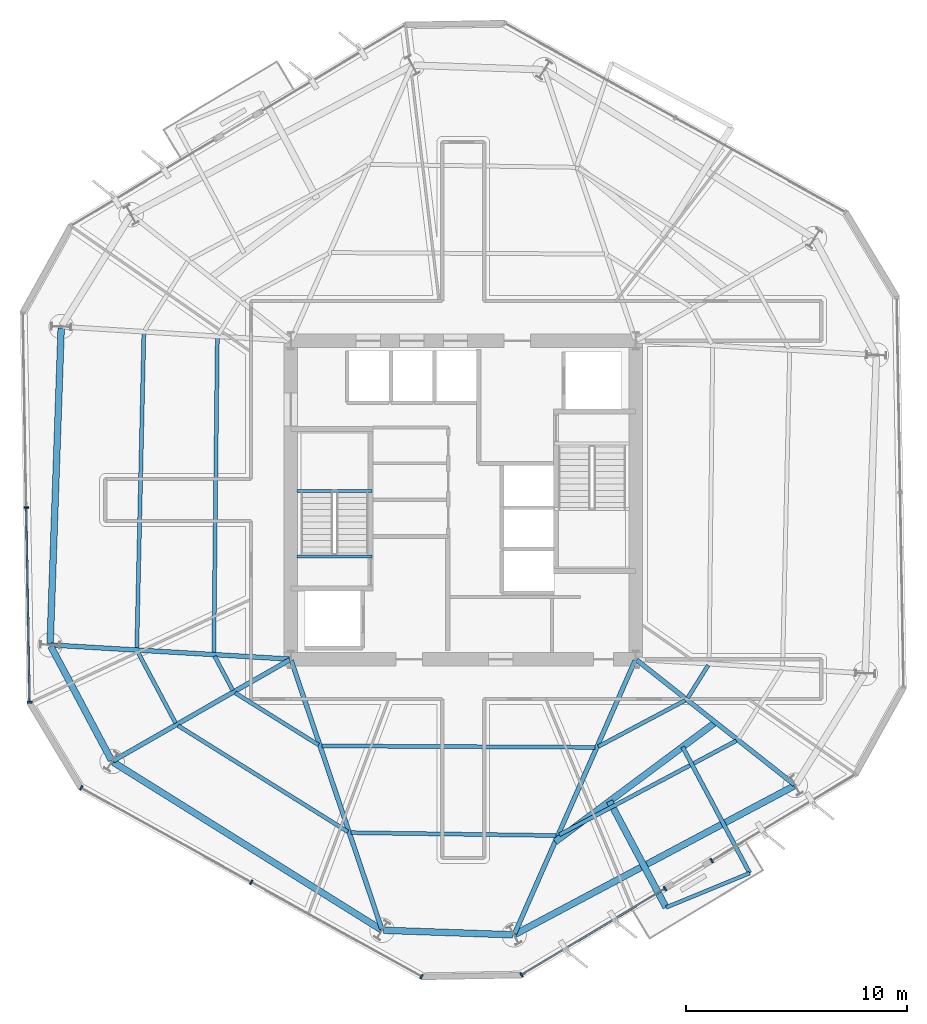
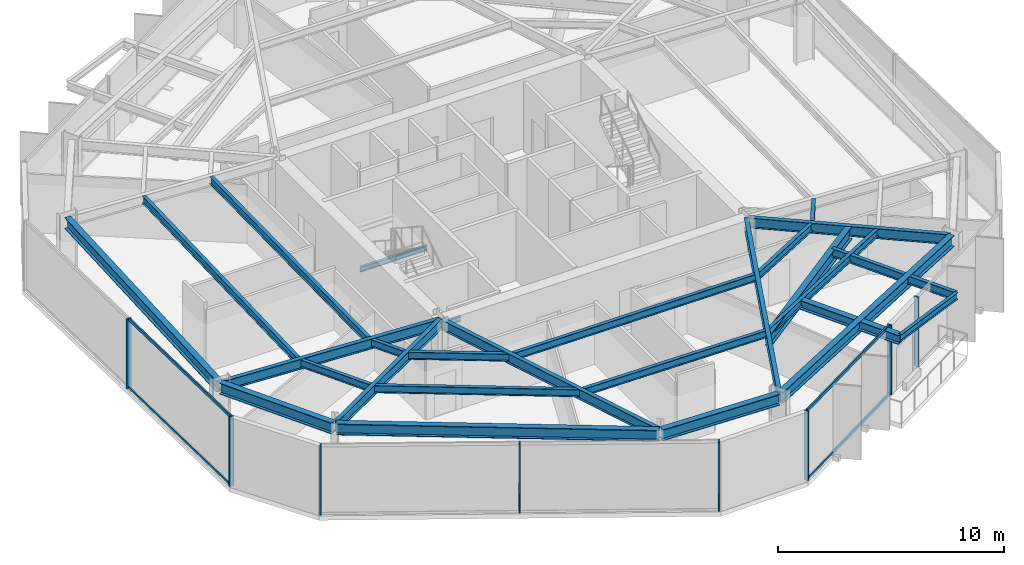
# One storey, part 2 of 11: 27 beams, 12 members, 4 elements without a shape of their own.
"""IFC4 building model written with IfcOpenShell, lengths in metres."""

from ifc_helpers import new_model, si_unit, direction, frame, origin, origin_2d, place, context, subcontext, project, spatial, rectangle, i_section, extrude, material, layer, layer_set, material_profile, profile_set, type_object, element, aggregate, save


model = new_model("IFC4")

# Units and contexts
model_context = context("Model", 3, precision=1e-05, world=origin(), true_north=direction((0.0, 1.0)))
body_context = subcontext(model_context, "Body", "Model", "MODEL_VIEW")
ifc_project = project(units=[si_unit("LENGTHUNIT", "METRE"), si_unit("AREAUNIT", "SQUARE_METRE"), si_unit("VOLUMEUNIT", "CUBIC_METRE"), si_unit("PLANEANGLEUNIT", "RADIAN"), si_unit("MASSUNIT", "GRAM", prefix="KILO")], contexts=[model_context])

# Site, building, storey
site_placement = place(None, origin())
site = spatial("IfcSite", under=ifc_project, at=site_placement, CompositionType="ELEMENT")
building_placement = place(site_placement, origin())
building = spatial("IfcBuilding", under=site, at=building_placement, Name="Kranzbogen Civic Tower", CompositionType="ELEMENT")
storey_placement = place(building_placement, frame((0.0, 0.0, 146.39990234375)))
storey = spatial("IfcBuildingStorey", under=building, at=storey_placement, Name="L35", CompositionType="ELEMENT", Elevation=146.39990234375)

# Beam
ifc_material_1 = material(Name="Steel S355", Category="steel")
ifc_material_profile_1 = material_profile(ifc_material_1, i_section(OverallWidth=0.18994140625, OverallDepth=0.449951171875, WebThickness=0.009521484375, FlangeThickness=0.0146484375, at=origin_2d()), Name="IPE 450")
ifc_profile_set_1 = profile_set([ifc_material_profile_1], Name="Steel S355")
beam_type_1 = type_object("IfcBeamType", Name="Braced Terrace Edge Beam IPE 450", PredefinedType="BEAM", material=ifc_profile_set_1)
beam_1_placement = place(storey_placement, frame((34.922119140625, 13.83203125, 3.525146484375), z_axis=(0.46945330946, -0.882957298082, 0.0), x_axis=(0.882957298082, 0.46945330946, 0.0)))
element("IfcBeam", 1, at=beam_1_placement, inside=storey, type_object=beam_type_1, Name="L36 back-spanned terrace beam L36-TB2-2", PredefinedType="BEAM", context=body_context, shape_type="SweptSolid", body=[
    extrude(i_section(OverallWidth=0.18994140625, OverallDepth=0.449951171875, WebThickness=0.009521484375, FlangeThickness=0.0146484375, at=origin_2d()), origin(), (0.0, 0.0, 1.0), 6.466796875),
])

# Curtain wall, members
ifc_material_2 = material(Name="Pale Anodised Aluminium", Category="aluminium")
ifc_layer = layer(ifc_material_2, 0.219970703125, Name="Pale Anodised Aluminium")
ifc_layer_set = layer_set([ifc_layer], Name="Pale Anodised Aluminium")
curtain_wall_type = type_object("IfcCurtainWallType", Name="Zone 2 Stick Curtain Wall System CW-03", PredefinedType="USERDEFINED", material=ifc_layer_set)
curtain_wall_1_placement = place(storey_placement, origin())
curtain_wall_1 = element("IfcCurtainWall", 2, at=curtain_wall_1_placement, inside=storey, type_object=curtain_wall_type, Name="L35 curtain wall CW-L35-F3", ObjectType="STICK CURTAIN WALL", PredefinedType="USERDEFINED")
ifc_material_profile_2 = material_profile(ifc_material_2, rectangle(XDim=0.074951171875, YDim=0.219970703125, at=origin_2d()), Name="ALU-M 75x220")
ifc_profile_set_2 = profile_set([ifc_material_profile_2], Name="Pale Anodised Aluminium")
member_type_1 = type_object("IfcMemberType", Name="Curtain Wall Mullion ALU-M 75x220", PredefinedType="MULLION", material=ifc_profile_set_2)
member_1_placement = place(storey_placement, frame((5.23095703125, 24.655029296875, 0.0), z_axis=(0.0, 0.0, 1.0), x_axis=(0.017431971008, -0.999848051649, 0.0)))
member_1 = element("IfcMember", 3, at=member_1_placement, type_object=member_type_1, Name="CW-03 mullion 2", PredefinedType="MULLION", context=body_context, shape_type="SweptSolid", body=[
    extrude(rectangle(XDim=0.074951171875, YDim=0.219970703125, at=origin_2d()), origin(), (0.0, 0.0, 1.0), 3.760009765625),
])
member_2_placement = place(storey_placement, frame((5.384521484375, 15.85205078125, 0.0), z_axis=(0.0, 0.0, 1.0), x_axis=(0.017431971008, -0.999848051649, 0.0)))
member_2 = element("IfcMember", 4, at=member_2_placement, type_object=member_type_1, Name="CW-03 mullion 3", PredefinedType="MULLION", context=body_context, shape_type="SweptSolid", body=[
    extrude(rectangle(XDim=0.074951171875, YDim=0.219970703125, at=origin_2d()), origin(), (0.0, 0.0, 1.0), 3.760009765625),
])

curtain_wall_2_placement = place(storey_placement, origin())
curtain_wall_2 = element("IfcCurtainWall", 5, at=curtain_wall_2_placement, inside=storey, type_object=curtain_wall_type, Name="L35 curtain wall CW-L35-F4", ObjectType="STICK CURTAIN WALL", PredefinedType="USERDEFINED")
member_3_placement = place(storey_placement, frame((7.71435546875, 11.975341796875, 0.0), z_axis=(0.0, 0.0, 1.0), x_axis=(0.874613413849, -0.484820973468, 0.0)))
member_3 = element("IfcMember", 6, at=member_3_placement, type_object=member_type_1, Name="CW-03 mullion 1", PredefinedType="MULLION", context=body_context, shape_type="SweptSolid", body=[
    extrude(rectangle(XDim=0.074951171875, YDim=0.219970703125, at=origin_2d()), origin(), (0.0, 0.0, 1.0), 3.760009765625),
])
member_4_placement = place(storey_placement, frame((15.41455078125, 7.70703125, 0.0), z_axis=(0.0, 0.0, 1.0), x_axis=(0.874613413849, -0.484820973468, 0.0)))
member_4 = element("IfcMember", 7, at=member_4_placement, type_object=member_type_1, Name="CW-03 mullion 2", PredefinedType="MULLION", context=body_context, shape_type="SweptSolid", body=[
    extrude(rectangle(XDim=0.074951171875, YDim=0.219970703125, at=origin_2d()), origin(), (0.0, 0.0, 1.0), 3.760009765625),
])
member_5_placement = place(storey_placement, frame((23.11474609375, 3.4384765625, 0.0), z_axis=(0.0, 0.0, 1.0), x_axis=(0.874613413849, -0.484820973468, 0.0)))
member_5 = element("IfcMember", 8, at=member_5_placement, type_object=member_type_1, Name="CW-03 mullion 3", PredefinedType="MULLION", context=body_context, shape_type="SweptSolid", body=[
    extrude(rectangle(XDim=0.074951171875, YDim=0.219970703125, at=origin_2d()), origin(), (0.0, 0.0, 1.0), 3.760009765625),
])
aggregate(curtain_wall_2, [member_3, member_4, member_5])

curtain_wall_3_placement = place(storey_placement, origin())
curtain_wall_3 = element("IfcCurtainWall", 9, at=curtain_wall_3_placement, inside=storey, type_object=curtain_wall_type, Name="L35 curtain wall CW-L35-F5-S1", ObjectType="STICK CURTAIN WALL", PredefinedType="USERDEFINED")
member_6_placement = place(storey_placement, frame((27.63671875, 3.517333984375, 0.0), z_axis=(0.0, 0.0, 1.0), x_axis=(0.857134393632, 0.515092837509, 0.0)))
member_6 = element("IfcMember", 10, at=member_6_placement, type_object=member_type_1, Name="CW-03 mullion 1", PredefinedType="MULLION", context=body_context, shape_type="SweptSolid", body=[
    extrude(rectangle(XDim=0.074951171875, YDim=0.219970703125, at=origin_2d()), origin(), (0.0, 0.0, 1.0), 3.760009765625),
])
member_7_placement = place(storey_placement, frame((34.128173828125, 7.41845703125, 0.0), z_axis=(0.0, 0.0, 1.0), x_axis=(0.857134393632, 0.515092837509, 0.0)))
member_7 = element("IfcMember", 11, at=member_7_placement, type_object=member_type_1, Name="CW-03 mullion 2", PredefinedType="MULLION", context=body_context, shape_type="SweptSolid", body=[
    extrude(rectangle(XDim=0.074951171875, YDim=0.219970703125, at=origin_2d()), origin(), (0.0, 0.0, 1.0), 3.760009765625),
])

# Curtain wall, member
curtain_wall_4_placement = place(storey_placement, origin())
curtain_wall_4 = element("IfcCurtainWall", 12, at=curtain_wall_4_placement, inside=storey, type_object=curtain_wall_type, Name="L35 curtain wall CW-L35-F5-S2", ObjectType="STICK CURTAIN WALL", PredefinedType="USERDEFINED")
member_8_placement = place(storey_placement, frame((36.23779296875, 8.685546875, 0.0), z_axis=(0.0, 0.0, 1.0), x_axis=(0.857134393632, 0.515092837509, 0.0)))
member_8 = element("IfcMember", 13, at=member_8_placement, type_object=member_type_1, Name="CW-03 mullion 1", PredefinedType="MULLION", context=body_context, shape_type="SweptSolid", body=[
    extrude(rectangle(XDim=0.074951171875, YDim=0.219970703125, at=origin_2d()), origin(), (0.0, 0.0, 1.0), 3.760009765625),
])
aggregate(curtain_wall_4, [member_8])

# Member
ifc_material_profile_3 = material_profile(ifc_material_2, rectangle(XDim=0.074951171875, YDim=0.1650390625, at=origin_2d()), Name="ALU-T 75x165")
ifc_profile_set_3 = profile_set([ifc_material_profile_3], Name="Pale Anodised Aluminium")
member_type_2 = type_object("IfcMemberType", Name="Curtain Wall Transom ALU-T 75x165", PredefinedType="USERDEFINED", material=ifc_profile_set_3)
member_9_placement = place(storey_placement, frame((5.2314453125, 24.625, 0.030029296875), z_axis=(0.017450080558, -0.999847735752, 0.0), x_axis=(0.999847735752, 0.017450080558, 0.0)))
member_9 = element("IfcMember", 14, at=member_9_placement, type_object=member_type_2, Name="CW-03 transom 2.1", ObjectType="TRANSOM", PredefinedType="USERDEFINED", context=body_context, shape_type="SweptSolid", body=[
    extrude(rectangle(XDim=0.074951171875, YDim=0.1650390625, at=origin_2d()), origin(), (0.0, 0.0, 1.0), 8.744140625),
])

member_10_placement = place(storey_placement, frame((5.2314453125, 24.625, 3.72998046875), z_axis=(0.017450080558, -0.999847735752, 0.0), x_axis=(0.999847735752, 0.017450080558, 0.0)))
member_10 = element("IfcMember", 15, at=member_10_placement, type_object=member_type_2, Name="CW-03 transom 2.2", ObjectType="TRANSOM", PredefinedType="USERDEFINED", context=body_context, shape_type="SweptSolid", body=[
    extrude(rectangle(XDim=0.074951171875, YDim=0.1650390625, at=origin_2d()), origin(), (0.0, 0.0, 1.0), 8.744140625),
])

aggregate(curtain_wall_1, [member_1, member_2, member_9, member_10])

member_11_placement = place(storey_placement, frame((27.662353515625, 3.532958984375, 0.030029296875), z_axis=(0.857140076693, 0.515083380558, 0.0), x_axis=(-0.515083380558, 0.857140076693, 0.0)))
member_11 = element("IfcMember", 16, at=member_11_placement, type_object=member_type_2, Name="CW-03 transom 1.1", ObjectType="TRANSOM", PredefinedType="USERDEFINED", context=body_context, shape_type="SweptSolid", body=[
    extrude(rectangle(XDim=0.074951171875, YDim=0.1650390625, at=origin_2d()), origin(), (0.0, 0.0, 1.0), 7.513671875),
])

member_12_placement = place(storey_placement, frame((27.662353515625, 3.532958984375, 3.72998046875), z_axis=(0.857140076693, 0.515083380558, 0.0), x_axis=(-0.515083380558, 0.857140076693, 0.0)))
member_12 = element("IfcMember", 17, at=member_12_placement, type_object=member_type_2, Name="CW-03 transom 1.2", ObjectType="TRANSOM", PredefinedType="USERDEFINED", context=body_context, shape_type="SweptSolid", body=[
    extrude(rectangle(XDim=0.074951171875, YDim=0.1650390625, at=origin_2d()), origin(), (0.0, 0.0, 1.0), 7.513671875),
])

aggregate(curtain_wall_3, [member_6, member_7, member_11, member_12])

# Beams
ifc_material_profile_4 = material_profile(ifc_material_1, i_section(OverallWidth=0.300048828125, OverallDepth=0.5, WebThickness=0.014404296875, FlangeThickness=0.028076171875, at=origin_2d()), Name="HEB 500")
ifc_profile_set_4 = profile_set([ifc_material_profile_4], Name="Steel S355")
beam_type_2 = type_object("IfcBeamType", Name="Perimeter Tube Spandrel Beam HEB 500", PredefinedType="SPANDREL", material=ifc_profile_set_4)
beam_2_placement = place(storey_placement, frame((31.6201171875, 11.3720703125, 3.5), z_axis=(0.46945902252, -0.882954260523, 0.0), x_axis=(0.882954260523, 0.46945902252, 0.0)))
element("IfcBeam", 18, at=beam_2_placement, inside=storey, type_object=beam_type_2, Name="L36 back-spanned terrace beam L36-TB2-1", PredefinedType="SPANDREL", context=body_context, shape_type="SweptSolid", body=[
    extrude(i_section(OverallWidth=0.300048828125, OverallDepth=0.5, WebThickness=0.014404296875, FlangeThickness=0.028076171875, at=origin_2d()), origin(), (0.0, 0.0, 1.0), 5.4443359375),
])
ifc_material_profile_5 = material_profile(ifc_material_1, i_section(OverallWidth=0.300048828125, OverallDepth=0.60009765625, WebThickness=0.015380859375, FlangeThickness=0.030029296875, at=origin_2d()), Name="HEB 600")
ifc_profile_set_5 = profile_set([ifc_material_profile_5], Name="Steel S355")
beam_type_3 = type_object("IfcBeamType", Name="Perimeter Tube Spandrel Beam HEB 600", PredefinedType="SPANDREL", material=ifc_profile_set_5)
beam_3_placement = place(storey_placement, frame((6.337890625, 18.39111328125, 3.460205078125), z_axis=(0.469565926668, -0.882897412224, 0.0), x_axis=(0.882897412224, 0.469565926668, 0.0)))
element("IfcBeam", 19, at=beam_3_placement, inside=storey, type_object=beam_type_3, Name="L35 perimeter spandrel beam 01", PredefinedType="SPANDREL", context=body_context, shape_type="SweptSolid", body=[
    extrude(i_section(OverallWidth=0.300048828125, OverallDepth=0.60009765625, WebThickness=0.015380859375, FlangeThickness=0.030029296875, at=origin_2d()), origin(), (0.0, 0.0, 1.0), 5.852294921875),
])
beam_4_placement = place(storey_placement, frame((9.1650390625, 13.138916015625, 3.460205078125), z_axis=(0.848051101349, -0.52991445489, 0.0), x_axis=(0.52991445489, 0.848051101349, 0.0)))
element("IfcBeam", 20, at=beam_4_placement, inside=storey, type_object=beam_type_3, Name="L35 perimeter spandrel beam 02", PredefinedType="SPANDREL", context=body_context, shape_type="SweptSolid", body=[
    extrude(i_section(OverallWidth=0.300048828125, OverallDepth=0.60009765625, WebThickness=0.015380859375, FlangeThickness=0.030029296875, at=origin_2d()), origin(), (0.0, 0.0, 1.0), 14.286865234375),
])
beam_5_placement = place(storey_placement, frame((21.39208984375, 5.533935546875, 3.460205078125), z_axis=(0.999393148233, -0.03483296234, 0.0), x_axis=(0.03483296234, 0.999393148233, 0.0)))
element("IfcBeam", 21, at=beam_5_placement, inside=storey, type_object=beam_type_3, Name="L35 perimeter spandrel beam 03", PredefinedType="SPANDREL", context=body_context, shape_type="SweptSolid", body=[
    extrude(i_section(OverallWidth=0.300048828125, OverallDepth=0.60009765625, WebThickness=0.015380859375, FlangeThickness=0.030029296875, at=origin_2d()), origin(), (0.0, 0.0, 1.0), 5.8525390625),
])
beam_6_placement = place(storey_placement, frame((27.35400390625, 5.35595703125, 3.460205078125), z_axis=(0.882948194046, 0.469470432116, 0.0), x_axis=(-0.469470432116, 0.882948194046, 0.0)))
element("IfcBeam", 22, at=beam_6_placement, inside=storey, type_object=beam_type_3, Name="L35 perimeter spandrel beam 04", PredefinedType="SPANDREL", context=body_context, shape_type="SweptSolid", body=[
    extrude(i_section(OverallWidth=0.300048828125, OverallDepth=0.60009765625, WebThickness=0.015380859375, FlangeThickness=0.030029296875, at=origin_2d()), origin(), (0.0, 0.0, 1.0), 14.28857421875),
])
beam_7_placement = place(storey_placement, frame((6.81103515625, 32.783935546875, 3.460205078125), z_axis=(-0.034924229103, -0.999389963038, 0.0), x_axis=(0.999389963038, -0.034924229103, 0.0)))
element("IfcBeam", 23, at=beam_7_placement, inside=storey, type_object=beam_type_3, Name="L35 perimeter spandrel beam 12", PredefinedType="SPANDREL", context=body_context, shape_type="SweptSolid", body=[
    extrude(i_section(OverallWidth=0.300048828125, OverallDepth=0.60009765625, WebThickness=0.015380859375, FlangeThickness=0.030029296875, at=origin_2d()), origin(), (0.0, 0.0, 1.0), 14.288818359375),
])
ifc_material_profile_6 = material_profile(ifc_material_1, i_section(OverallWidth=0.300048828125, OverallDepth=0.699951171875, WebThickness=0.01708984375, FlangeThickness=0.031982421875, at=origin_2d()), Name="HEB 700")
ifc_profile_set_6 = profile_set([ifc_material_profile_6], Name="Steel S355")
beam_type_4 = type_object("IfcBeamType", Name="Perimeter Tube Spandrel Beam HEB 700", PredefinedType="SPANDREL", material=ifc_profile_set_6)
beam_8_placement = place(storey_placement, frame((29.156982421875, 9.537109375, 3.400146484375), z_axis=(0.801896259305, 0.597463295369, 0.0), x_axis=(-0.597463295369, 0.801896259305, 0.0)))
element("IfcBeam", 24, at=beam_8_placement, inside=storey, type_object=beam_type_4, Name="L36 balcony back-span header girder L36-TB2", PredefinedType="SPANDREL", context=body_context, shape_type="SweptSolid", body=[
    extrude(i_section(OverallWidth=0.300048828125, OverallDepth=0.699951171875, WebThickness=0.01708984375, FlangeThickness=0.031982421875, at=origin_2d()), origin(), (0.0, 0.0, 1.0), 9.0498046875),
])
ifc_material_profile_7 = material_profile(ifc_material_1, i_section(OverallWidth=0.2099609375, OverallDepth=0.550048828125, WebThickness=0.010986328125, FlangeThickness=0.01708984375, at=origin_2d()), Name="IPE 550")
ifc_profile_set_7 = profile_set([ifc_material_profile_7], Name="Steel S355")
beam_type_5 = type_object("IfcBeamType", Name="Radial Tower Floor Girder IPE 550", PredefinedType="BEAM", material=ifc_profile_set_7)
beam_9_placement = place(storey_placement, frame((6.3701171875, 18.43994140625, 3.485107421875), z_axis=(0.998260925387, -0.058950189528, 0.0), x_axis=(0.058950189528, 0.998260925387, 0.0)))
element("IfcBeam", 25, at=beam_9_placement, inside=storey, type_object=beam_type_5, Name="L35 radial floor girder 01", PredefinedType="BEAM", context=body_context, shape_type="SweptSolid", body=[
    extrude(i_section(OverallWidth=0.2099609375, OverallDepth=0.550048828125, WebThickness=0.010986328125, FlangeThickness=0.01708984375, at=origin_2d()), origin(), (0.0, 0.0, 1.0), 10.78857421875),
])
beam_10_placement = place(storey_placement, frame((9.166015625, 13.200927734375, 3.485107421875), z_axis=(0.867868812182, 0.496793442833, 0.0), x_axis=(-0.496793442833, 0.867868812182, 0.0)))
element("IfcBeam", 26, at=beam_10_placement, inside=storey, type_object=beam_type_5, Name="L35 radial floor girder 02", PredefinedType="BEAM", context=body_context, shape_type="SweptSolid", body=[
    extrude(i_section(OverallWidth=0.2099609375, OverallDepth=0.550048828125, WebThickness=0.010986328125, FlangeThickness=0.01708984375, at=origin_2d()), origin(), (0.0, 0.0, 1.0), 9.197265625),
])
beam_11_placement = place(storey_placement, frame((21.31298828125, 5.593017578125, 3.485107421875), z_axis=(-0.319316617377, 0.947648087566, 0.0), x_axis=(-0.947648087566, -0.319316617377, 0.0)))
element("IfcBeam", 27, at=beam_11_placement, inside=storey, type_object=beam_type_5, Name="L35 radial floor girder 03", PredefinedType="BEAM", context=body_context, shape_type="SweptSolid", body=[
    extrude(i_section(OverallWidth=0.2099609375, OverallDepth=0.550048828125, WebThickness=0.010986328125, FlangeThickness=0.01708984375, at=origin_2d()), origin(), (0.0, 0.0, 1.0), 12.821044921875),
])
beam_12_placement = place(storey_placement, frame((27.324951171875, 5.383056640625, 3.485107421875), z_axis=(0.403459127705, 0.914997667905, 0.0), x_axis=(-0.914997667905, 0.403459127705, 0.0)))
element("IfcBeam", 28, at=beam_12_placement, inside=storey, type_object=beam_type_5, Name="L35 radial floor girder 04", PredefinedType="BEAM", context=body_context, shape_type="SweptSolid", body=[
    extrude(i_section(OverallWidth=0.2099609375, OverallDepth=0.550048828125, WebThickness=0.010986328125, FlangeThickness=0.01708984375, at=origin_2d()), origin(), (0.0, 0.0, 1.0), 13.510498046875),
])
beam_13_placement = place(storey_placement, frame((39.97607421875, 12.12890625, 3.485107421875), z_axis=(-0.78457455683, 0.620034486763, 0.0), x_axis=(-0.620034486763, -0.78457455683, 0.0)))
element("IfcBeam", 29, at=beam_13_placement, inside=storey, type_object=beam_type_5, Name="L35 radial floor girder 05", PredefinedType="BEAM", context=body_context, shape_type="SweptSolid", body=[
    extrude(i_section(OverallWidth=0.2099609375, OverallDepth=0.550048828125, WebThickness=0.010986328125, FlangeThickness=0.01708984375, at=origin_2d()), origin(), (0.0, 0.0, 1.0), 9.086669921875),
])
ifc_material_profile_8 = material_profile(ifc_material_1, i_section(OverallWidth=0.169921875, OverallDepth=0.360107421875, WebThickness=0.008056640625, FlangeThickness=0.0126953125, at=origin_2d()), Name="IPE 360")
ifc_profile_set_8 = profile_set([ifc_material_profile_8], Name="Steel S355")
beam_type_6 = type_object("IfcBeamType", Name="Secondary Composite Floor Joist IPE 360", PredefinedType="JOIST", material=ifc_profile_set_8)
beam_14_placement = place(storey_placement, frame((34.176025390625, 6.56494140625, 3.570068359375), z_axis=(0.924691696401, 0.380716780043, 0.0), x_axis=(-0.380716780043, 0.924691696401, 0.0)))
element("IfcBeam", 30, at=beam_14_placement, inside=storey, type_object=beam_type_6, Name="L36 terrace outer edge trimmer L36-TB2", PredefinedType="JOIST", context=body_context, shape_type="SweptSolid", body=[
    extrude(i_section(OverallWidth=0.169921875, OverallDepth=0.360107421875, WebThickness=0.008056640625, FlangeThickness=0.0126953125, at=origin_2d()), origin(), (0.0, 0.0, 1.0), 4.090087890625),
])
ifc_material_profile_9 = material_profile(ifc_material_1, i_section(OverallWidth=0.179931640625, OverallDepth=0.39990234375, WebThickness=0.008544921875, FlangeThickness=0.013427734375, at=origin_2d()), Name="IPE 400")
ifc_profile_set_9 = profile_set([ifc_material_profile_9], Name="Steel S355")
beam_type_7 = type_object("IfcBeamType", Name="Secondary Composite Floor Joist IPE 400", PredefinedType="JOIST", material=ifc_profile_set_9)
beam_15_placement = place(storey_placement, frame((10.26806640625, 18.14208984375, 3.56005859375), z_axis=(0.469338791783, -0.88301817565, 0.0), x_axis=(0.88301817565, 0.469338791783, 0.0)))
element("IfcBeam", 31, at=beam_15_placement, inside=storey, type_object=beam_type_7, Name="L35 secondary floor joist 1.01", PredefinedType="JOIST", context=body_context, shape_type="SweptSolid", body=[
    extrude(i_section(OverallWidth=0.179931640625, OverallDepth=0.39990234375, WebThickness=0.008544921875, FlangeThickness=0.013427734375, at=origin_2d()), origin(), (0.0, 0.0, 1.0), 3.66259765625),
])
beam_16_placement = place(storey_placement, frame((13.7529296875, 17.93505859375, 3.56005859375), z_axis=(0.46943723363, -0.882965845139, 0.0), x_axis=(0.882965845139, 0.46943723363, 0.0)))
element("IfcBeam", 32, at=beam_16_placement, inside=storey, type_object=beam_type_7, Name="L35 secondary floor joist 2.01", PredefinedType="JOIST", context=body_context, shape_type="SweptSolid", body=[
    extrude(i_section(OverallWidth=0.179931640625, OverallDepth=0.39990234375, WebThickness=0.008544921875, FlangeThickness=0.013427734375, at=origin_2d()), origin(), (0.0, 0.0, 1.0), 1.7509765625),
])
beam_17_placement = place(storey_placement, frame((12.093017578125, 14.794921875, 3.56005859375), z_axis=(0.848025549308, -0.529955345026, 0.0), x_axis=(0.529955345026, 0.848025549308, 0.0)))
element("IfcBeam", 33, at=beam_17_placement, inside=storey, type_object=beam_type_7, Name="L35 secondary floor joist 1.02", PredefinedType="JOIST", context=body_context, shape_type="SweptSolid", body=[
    extrude(i_section(OverallWidth=0.179931640625, OverallDepth=0.39990234375, WebThickness=0.008544921875, FlangeThickness=0.013427734375, at=origin_2d()), origin(), (0.0, 0.0, 1.0), 9.06103515625),
])
beam_18_placement = place(storey_placement, frame((14.679931640625, 16.27587890625, 3.56005859375), z_axis=(0.848093834398, -0.529846060716, 0.0), x_axis=(0.529846060716, 0.848093834398, 0.0)))
element("IfcBeam", 34, at=beam_18_placement, inside=storey, type_object=beam_type_7, Name="L35 secondary floor joist 2.02", PredefinedType="JOIST", context=body_context, shape_type="SweptSolid", body=[
    extrude(i_section(OverallWidth=0.179931640625, OverallDepth=0.39990234375, WebThickness=0.008544921875, FlangeThickness=0.013427734375, at=origin_2d()), origin(), (0.0, 0.0, 1.0), 4.4501953125),
])
beam_19_placement = place(storey_placement, frame((19.924072265625, 9.949951171875, 3.56005859375), z_axis=(0.999900525148, -0.014104602386, 0.0), x_axis=(0.014104602386, 0.999900525148, 0.0)))
element("IfcBeam", 35, at=beam_19_placement, inside=storey, type_object=beam_type_7, Name="L35 secondary floor joist 1.03", PredefinedType="JOIST", context=body_context, shape_type="SweptSolid", body=[
    extrude(i_section(OverallWidth=0.179931640625, OverallDepth=0.39990234375, WebThickness=0.008544921875, FlangeThickness=0.013427734375, at=origin_2d()), origin(), (0.0, 0.0, 1.0), 9.27783203125),
])
beam_20_placement = place(storey_placement, frame((18.60205078125, 13.875, 3.56005859375), z_axis=(0.999985774147, -0.005333995002, 0.0), x_axis=(0.005333995002, 0.999985774147, 0.0)))
element("IfcBeam", 36, at=beam_20_placement, inside=storey, type_object=beam_type_7, Name="L35 secondary floor joist 2.03", PredefinedType="JOIST", context=body_context, shape_type="SweptSolid", body=[
    extrude(i_section(OverallWidth=0.179931640625, OverallDepth=0.39990234375, WebThickness=0.008544921875, FlangeThickness=0.013427734375, at=origin_2d()), origin(), (0.0, 0.0, 1.0), 12.358154296875),
])
beam_21_placement = place(storey_placement, frame((29.35107421875, 9.85498046875, 3.56005859375), z_axis=(0.882960787661, 0.469446746131, 0.0), x_axis=(-0.469446746131, 0.882960787661, 0.0)))
element("IfcBeam", 37, at=beam_21_placement, inside=storey, type_object=beam_type_7, Name="L35 secondary floor joist 1.04", PredefinedType="JOIST", context=body_context, shape_type="SweptSolid", body=[
    extrude(i_section(OverallWidth=0.179931640625, OverallDepth=0.39990234375, WebThickness=0.008544921875, FlangeThickness=0.013427734375, at=origin_2d()), origin(), (0.0, 0.0, 1.0), 9.0615234375),
])
beam_22_placement = place(storey_placement, frame((31.111083984375, 13.846923828125, 3.56005859375), z_axis=(0.882991399158, 0.469389165844, 0.0), x_axis=(-0.469389165844, 0.882991399158, 0.0)))
element("IfcBeam", 38, at=beam_22_placement, inside=storey, type_object=beam_type_7, Name="L35 secondary floor joist 2.04", PredefinedType="JOIST", context=body_context, shape_type="SweptSolid", body=[
    extrude(i_section(OverallWidth=0.179931640625, OverallDepth=0.39990234375, WebThickness=0.008544921875, FlangeThickness=0.013427734375, at=origin_2d()), origin(), (0.0, 0.0, 1.0), 4.45068359375),
])
beam_23_placement = place(storey_placement, frame((35.154052734375, 16.041015625, 3.56005859375), z_axis=(0.529572623603, 0.84826460278, 0.0), x_axis=(-0.84826460278, 0.529572623603, 0.0)))
element("IfcBeam", 39, at=beam_23_placement, inside=storey, type_object=beam_type_7, Name="L35 secondary floor joist 2.05", PredefinedType="JOIST", context=body_context, shape_type="SweptSolid", body=[
    extrude(i_section(OverallWidth=0.179931640625, OverallDepth=0.39990234375, WebThickness=0.008544921875, FlangeThickness=0.013427734375, at=origin_2d()), origin(), (0.0, 0.0, 1.0), 1.75048828125),
])
beam_24_placement = place(storey_placement, frame((10.551025390625, 32.531982421875, 3.56005859375), z_axis=(-0.022402523442, -0.999749031979, 0.0), x_axis=(0.999749031979, -0.022402523442, 0.0)))
element("IfcBeam", 40, at=beam_24_placement, inside=storey, type_object=beam_type_7, Name="L35 secondary floor joist 1.12", PredefinedType="JOIST", context=body_context, shape_type="SweptSolid", body=[
    extrude(i_section(OverallWidth=0.179931640625, OverallDepth=0.39990234375, WebThickness=0.008544921875, FlangeThickness=0.013427734375, at=origin_2d()), origin(), (0.0, 0.0, 1.0), 14.24365234375),
])
beam_25_placement = place(storey_placement, frame((13.875, 32.325927734375, 3.56005859375), z_axis=(-0.011160516663, -0.999937719494, 0.0), x_axis=(0.999937719494, -0.011160516663, 0.0)))
element("IfcBeam", 41, at=beam_25_placement, inside=storey, type_object=beam_type_7, Name="L35 secondary floor joist 2.12", PredefinedType="JOIST", context=body_context, shape_type="SweptSolid", body=[
    extrude(i_section(OverallWidth=0.179931640625, OverallDepth=0.39990234375, WebThickness=0.008544921875, FlangeThickness=0.013427734375, at=origin_2d()), origin(), (0.0, 0.0, 1.0), 14.240966796875),
])
ifc_material_profile_10 = material_profile(ifc_material_1, i_section(OverallWidth=0.135009765625, OverallDepth=0.27001953125, WebThickness=0.006591796875, FlangeThickness=0.01025390625, at=origin_2d()), Name="IPE 270")
ifc_profile_set_10 = profile_set([ifc_material_profile_10], Name="Steel S355")
beam_type_8 = type_object("IfcBeamType", Name="Stair Landing Support Beam IPE 270", PredefinedType="JOIST", material=ifc_profile_set_10)
for number, where, z_axis, x_axis, name in (
    (42, (20.8798828125, 22.43994140625, -0.375), (-1.0, 0.0, 0.0), (0.0, -1.0, 0.0), "L35 ST-T1 stair floor header beam"),
    (43, (20.8798828125, 25.39990234375, 1.6650390625), (-1.0, 0.0, 0.0), (0.0, -1.0, 0.0), "L35 ST-T1 landing support beam 1.1"),
):
    element("IfcBeam", number, at=place(storey_placement, frame(where, z_axis=z_axis, x_axis=x_axis)), inside=storey, type_object=beam_type_8, Name=name, PredefinedType="JOIST", context=body_context, shape_type="SweptSolid", body=[
        extrude(i_section(OverallWidth=0.135009765625, OverallDepth=0.27001953125, WebThickness=0.006591796875, FlangeThickness=0.01025390625, at=origin_2d()), origin(), (0.0, 0.0, 1.0), 3.409912109375),
    ])

save(model, "model.ifc")
